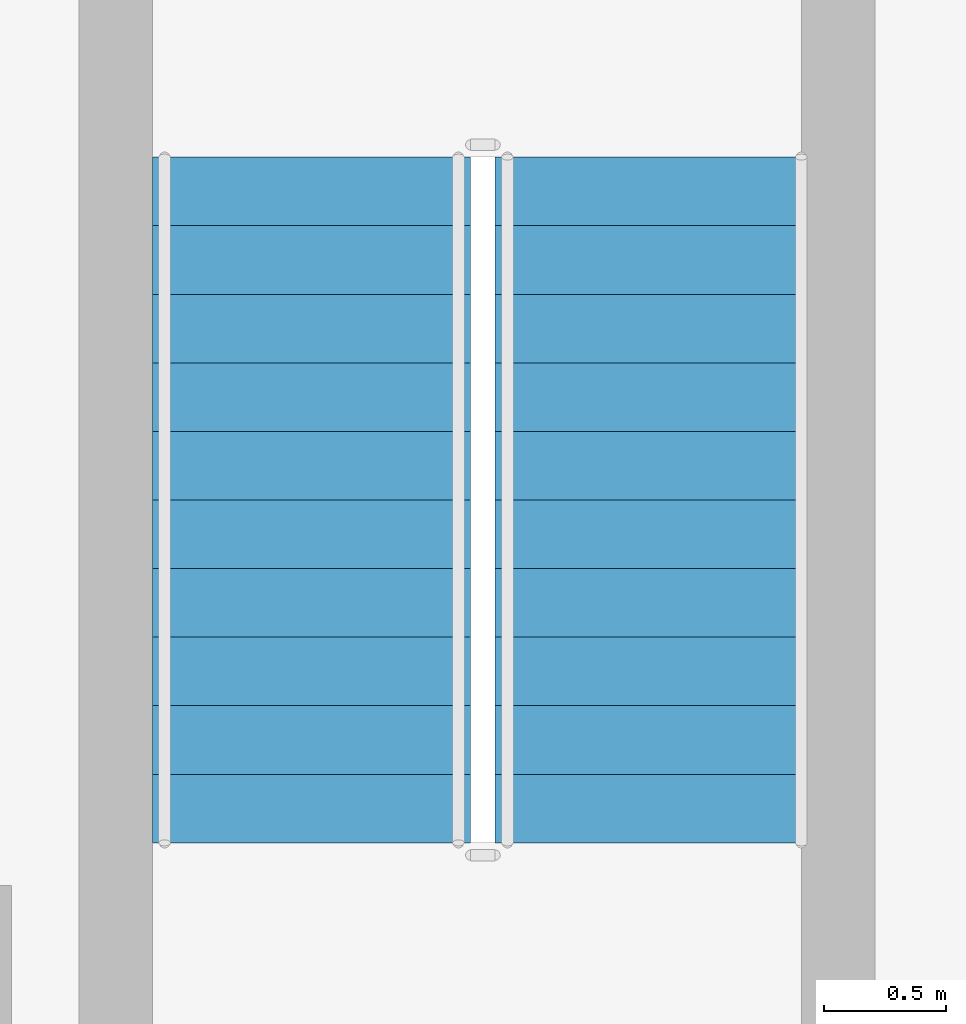
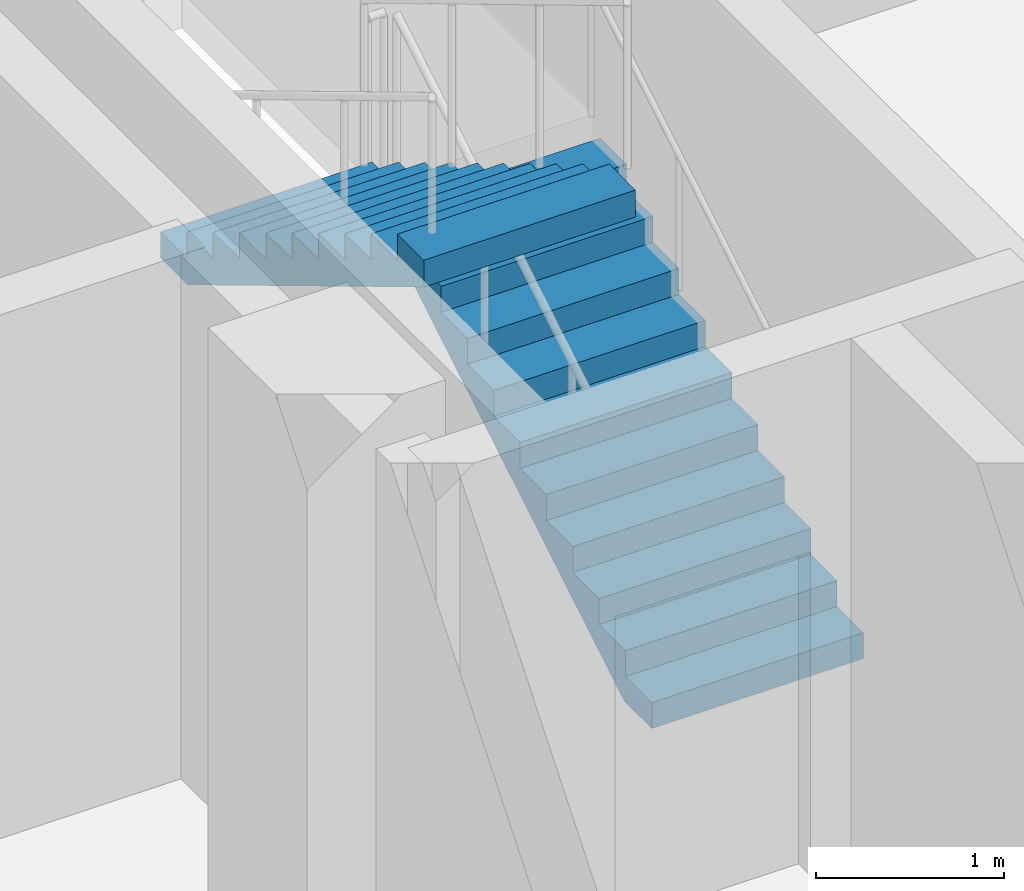
# One storey, part 16 of 22: 2 stair flights, 1 element without a shape of its own.
"""IFC4 building model written with IfcOpenShell, lengths in metres."""

from ifc_helpers import new_model, si_unit, direction, frame, origin, place, context, subcontext, project, spatial, triangles, source, transform, mapped, material, type_object, element, aggregate, save


model = new_model("IFC4")

# Units and contexts
model_context = context("Model", 3, precision=1e-05, world=origin(), true_north=direction((0.0, 1.0)))
body_context = subcontext(model_context, "Body", "Model", "MODEL_VIEW")
ifc_project = project(units=[si_unit("LENGTHUNIT", "METRE"), si_unit("AREAUNIT", "SQUARE_METRE"), si_unit("VOLUMEUNIT", "CUBIC_METRE"), si_unit("PLANEANGLEUNIT", "RADIAN"), si_unit("MASSUNIT", "GRAM", prefix="KILO")], contexts=[model_context])

# Site, building, storey
site_placement = place(None, origin())
site = spatial("IfcSite", under=ifc_project, at=site_placement, CompositionType="ELEMENT")
building_placement = place(site_placement, origin())
building = spatial("IfcBuilding", under=site, at=building_placement, Name="Ogive Portal Towers", CompositionType="ELEMENT")
storey_placement = place(building_placement, frame((0.0, 0.0, 113.0)))
storey = spatial("IfcBuildingStorey", under=building, at=storey_placement, Name="L27", CompositionType="ELEMENT", Elevation=113.0)

# Stair, stair flights
ifc_material = material(Name="Concrete C40/50", Category="concrete")
stair_type = type_object("IfcStairType", Name="INT-STAIR", PredefinedType="HALF_TURN_STAIR", material=ifc_material)
stair_placement = place(storey_placement, origin())
stair = element("IfcStair", 1, at=stair_placement, inside=storey, type_object=stair_type, Name="L27 Exit Stair ST-A3", PredefinedType="HALF_TURN_STAIR")
stair_flight_type = type_object("IfcStairFlightType", Name="INT-FLIGHT", PredefinedType="STRAIGHT", material=ifc_material)
shared_shape = source(origin(), body_context, "Body", "Tessellation", [
    triangles([(0.0, -0.650146484375, 0.0), (0.0, -0.376220703125, 0.0), (0.0, -0.192626953125, 0.0), (0.0, -0.081298828125, 0.0), (0.0, -0.024169921875, 0.0), (0.0, -0.003173828125, 0.0), (0.0, 0.0, 0.0), (0.0, 0.0029296875, 0.0), (0.0, 0.02392578125, 0.0), (0.0, 0.0810546875, 0.0), (0.0, 0.1923828125, 0.0), (0.0, 0.3759765625, 0.0), (0.0, 0.64990234375, 0.0), (0.0, -0.650146484375, 0.168212890625), (0.0, -0.376220703125, 0.168212890625), (0.0, -0.192626953125, 0.168212890625), (0.0, -0.081298828125, 0.168212890625), (0.0, -0.024169921875, 0.168212890625), (0.0, -0.003173828125, 0.168212890625), (0.0, 0.0, 0.168212890625), (0.0, 0.0029296875, 0.168212890625), (0.0, 0.02392578125, 0.168212890625), (0.0, 0.0810546875, 0.168212890625), (0.0, 0.1923828125, 0.168212890625), (0.0, 0.3759765625, 0.168212890625), (0.0, 0.64990234375, 0.168212890625), (0.280029296875, -0.650146484375, 0.168212890625), (0.280029296875, -0.376220703125, 0.168212890625), (0.280029296875, -0.192626953125, 0.168212890625), (0.280029296875, -0.081298828125, 0.168212890625), (0.280029296875, -0.024169921875, 0.168212890625), (0.280029296875, -0.003173828125, 0.168212890625), (0.280029296875, 0.0, 0.168212890625), (0.280029296875, 0.0029296875, 0.168212890625), (0.280029296875, 0.02392578125, 0.168212890625), (0.280029296875, 0.0810546875, 0.168212890625), (0.280029296875, 0.1923828125, 0.168212890625), (0.280029296875, 0.3759765625, 0.168212890625), (0.280029296875, 0.64990234375, 0.168212890625), (0.280029296875, -0.650146484375, 0.33642578125), (0.280029296875, -0.376220703125, 0.33642578125), (0.280029296875, -0.192626953125, 0.33642578125), (0.280029296875, -0.081298828125, 0.33642578125), (0.280029296875, -0.024169921875, 0.33642578125), (0.280029296875, -0.003173828125, 0.33642578125), (0.280029296875, 0.0, 0.33642578125), (0.280029296875, 0.0029296875, 0.33642578125), (0.280029296875, 0.02392578125, 0.33642578125), (0.280029296875, 0.0810546875, 0.33642578125), (0.280029296875, 0.1923828125, 0.33642578125), (0.280029296875, 0.3759765625, 0.33642578125), (0.280029296875, 0.64990234375, 0.33642578125), (0.56005859375, -0.650146484375, 0.33642578125), (0.56005859375, -0.376220703125, 0.33642578125), (0.56005859375, -0.192626953125, 0.33642578125), (0.56005859375, -0.081298828125, 0.33642578125), (0.56005859375, -0.024169921875, 0.33642578125), (0.56005859375, -0.003173828125, 0.33642578125), (0.56005859375, 0.0, 0.33642578125), (0.56005859375, 0.0029296875, 0.33642578125), (0.56005859375, 0.02392578125, 0.33642578125), (0.56005859375, 0.0810546875, 0.33642578125), (0.56005859375, 0.1923828125, 0.33642578125), (0.56005859375, 0.3759765625, 0.33642578125), (0.56005859375, 0.64990234375, 0.33642578125), (0.56005859375, -0.650146484375, 0.504638671875), (0.56005859375, -0.376220703125, 0.504638671875), (0.56005859375, -0.192626953125, 0.504638671875), (0.56005859375, -0.081298828125, 0.504638671875), (0.56005859375, -0.024169921875, 0.504638671875), (0.56005859375, -0.003173828125, 0.504638671875), (0.56005859375, 0.0, 0.504638671875), (0.56005859375, 0.0029296875, 0.504638671875), (0.56005859375, 0.02392578125, 0.504638671875), (0.56005859375, 0.0810546875, 0.504638671875), (0.56005859375, 0.1923828125, 0.504638671875), (0.56005859375, 0.3759765625, 0.504638671875), (0.56005859375, 0.64990234375, 0.504638671875), (0.840087890625, -0.650146484375, 0.504638671875), (0.840087890625, -0.376220703125, 0.504638671875), (0.840087890625, -0.192626953125, 0.504638671875), (0.840087890625, -0.081298828125, 0.504638671875), (0.840087890625, -0.024169921875, 0.504638671875), (0.840087890625, -0.003173828125, 0.504638671875), (0.840087890625, 0.0, 0.504638671875), (0.840087890625, 0.0029296875, 0.504638671875), (0.840087890625, 0.02392578125, 0.504638671875), (0.840087890625, 0.0810546875, 0.504638671875), (0.840087890625, 0.1923828125, 0.504638671875), (0.840087890625, 0.3759765625, 0.504638671875), (0.840087890625, 0.64990234375, 0.504638671875), (0.840087890625, -0.650146484375, 0.672607421875), (0.840087890625, -0.376220703125, 0.672607421875), (0.840087890625, -0.192626953125, 0.672607421875), (0.840087890625, -0.081298828125, 0.672607421875), (0.840087890625, -0.024169921875, 0.672607421875), (0.840087890625, -0.003173828125, 0.672607421875), (0.840087890625, 0.0, 0.672607421875), (0.840087890625, 0.0029296875, 0.672607421875), (0.840087890625, 0.02392578125, 0.672607421875), (0.840087890625, 0.0810546875, 0.672607421875), (0.840087890625, 0.1923828125, 0.672607421875), (0.840087890625, 0.3759765625, 0.672607421875), (0.840087890625, 0.64990234375, 0.672607421875), (1.1201171875, -0.650146484375, 0.672607421875), (1.1201171875, -0.376220703125, 0.672607421875), (1.1201171875, -0.192626953125, 0.672607421875), (1.1201171875, -0.081298828125, 0.672607421875), (1.1201171875, -0.024169921875, 0.672607421875), (1.1201171875, -0.003173828125, 0.672607421875), (1.1201171875, 0.0, 0.672607421875), (1.1201171875, 0.0029296875, 0.672607421875), (1.1201171875, 0.02392578125, 0.672607421875), (1.1201171875, 0.0810546875, 0.672607421875), (1.1201171875, 0.1923828125, 0.672607421875), (1.1201171875, 0.3759765625, 0.672607421875), (1.1201171875, 0.64990234375, 0.672607421875), (1.1201171875, -0.650146484375, 0.8408203125), (1.1201171875, -0.376220703125, 0.8408203125), (1.1201171875, -0.192626953125, 0.8408203125), (1.1201171875, -0.081298828125, 0.8408203125), (1.1201171875, -0.024169921875, 0.8408203125), (1.1201171875, -0.003173828125, 0.8408203125), (1.1201171875, 0.0, 0.8408203125), (1.1201171875, 0.0029296875, 0.8408203125), (1.1201171875, 0.02392578125, 0.8408203125), (1.1201171875, 0.0810546875, 0.8408203125), (1.1201171875, 0.1923828125, 0.8408203125), (1.1201171875, 0.3759765625, 0.8408203125), (1.1201171875, 0.64990234375, 0.8408203125), (1.39990234375, -0.650146484375, 0.8408203125), (1.39990234375, -0.376220703125, 0.8408203125), (1.39990234375, -0.192626953125, 0.8408203125), (1.39990234375, -0.081298828125, 0.8408203125), (1.39990234375, -0.024169921875, 0.8408203125), (1.39990234375, -0.003173828125, 0.8408203125), (1.39990234375, 0.0, 0.8408203125), (1.39990234375, 0.0029296875, 0.8408203125), (1.39990234375, 0.02392578125, 0.8408203125), (1.39990234375, 0.0810546875, 0.8408203125), (1.39990234375, 0.1923828125, 0.8408203125), (1.39990234375, 0.3759765625, 0.8408203125), (1.39990234375, 0.64990234375, 0.8408203125), (1.39990234375, -0.650146484375, 1.009033203125), (1.39990234375, -0.376220703125, 1.009033203125), (1.39990234375, -0.192626953125, 1.009033203125), (1.39990234375, -0.081298828125, 1.009033203125), (1.39990234375, -0.024169921875, 1.009033203125), (1.39990234375, -0.003173828125, 1.009033203125), (1.39990234375, 0.0, 1.009033203125), (1.39990234375, 0.0029296875, 1.009033203125), (1.39990234375, 0.02392578125, 1.009033203125), (1.39990234375, 0.0810546875, 1.009033203125), (1.39990234375, 0.1923828125, 1.009033203125), (1.39990234375, 0.3759765625, 1.009033203125), (1.39990234375, 0.64990234375, 1.009033203125), (1.679931640625, -0.650146484375, 1.009033203125), (1.679931640625, -0.376220703125, 1.009033203125), (1.679931640625, -0.192626953125, 1.009033203125), (1.679931640625, -0.081298828125, 1.009033203125), (1.679931640625, -0.024169921875, 1.009033203125), (1.679931640625, -0.003173828125, 1.009033203125), (1.679931640625, 0.0, 1.009033203125), (1.679931640625, 0.0029296875, 1.009033203125), (1.679931640625, 0.02392578125, 1.009033203125), (1.679931640625, 0.0810546875, 1.009033203125), (1.679931640625, 0.1923828125, 1.009033203125), (1.679931640625, 0.3759765625, 1.009033203125), (1.679931640625, 0.64990234375, 1.009033203125), (1.679931640625, -0.650146484375, 1.17724609375), (1.679931640625, -0.376220703125, 1.17724609375), (1.679931640625, -0.192626953125, 1.17724609375), (1.679931640625, -0.081298828125, 1.17724609375), (1.679931640625, -0.024169921875, 1.17724609375), (1.679931640625, -0.003173828125, 1.17724609375), (1.679931640625, 0.0, 1.17724609375), (1.679931640625, 0.0029296875, 1.17724609375), (1.679931640625, 0.02392578125, 1.17724609375), (1.679931640625, 0.0810546875, 1.17724609375), (1.679931640625, 0.1923828125, 1.17724609375), (1.679931640625, 0.3759765625, 1.17724609375), (1.679931640625, 0.64990234375, 1.17724609375), (1.9599609375, -0.650146484375, 1.17724609375), (1.9599609375, -0.376220703125, 1.17724609375), (1.9599609375, -0.192626953125, 1.17724609375), (1.9599609375, -0.081298828125, 1.17724609375), (1.9599609375, -0.024169921875, 1.17724609375), (1.9599609375, -0.003173828125, 1.17724609375), (1.9599609375, 0.0, 1.17724609375), (1.9599609375, 0.0029296875, 1.17724609375), (1.9599609375, 0.02392578125, 1.17724609375), (1.9599609375, 0.0810546875, 1.17724609375), (1.9599609375, 0.1923828125, 1.17724609375), (1.9599609375, 0.3759765625, 1.17724609375), (1.9599609375, 0.64990234375, 1.17724609375), (1.9599609375, -0.650146484375, 1.345458984375), (1.9599609375, -0.376220703125, 1.345458984375), (1.9599609375, -0.192626953125, 1.345458984375), (1.9599609375, -0.081298828125, 1.345458984375), (1.9599609375, -0.024169921875, 1.345458984375), (1.9599609375, -0.003173828125, 1.345458984375), (1.9599609375, 0.0, 1.345458984375), (1.9599609375, 0.0029296875, 1.345458984375), (1.9599609375, 0.02392578125, 1.345458984375), (1.9599609375, 0.0810546875, 1.345458984375), (1.9599609375, 0.1923828125, 1.345458984375), (1.9599609375, 0.3759765625, 1.345458984375), (1.9599609375, 0.64990234375, 1.345458984375), (2.239990234375, -0.650146484375, 1.345458984375), (2.239990234375, -0.376220703125, 1.345458984375), (2.239990234375, -0.192626953125, 1.345458984375), (2.239990234375, -0.081298828125, 1.345458984375), (2.239990234375, -0.024169921875, 1.345458984375), (2.239990234375, -0.003173828125, 1.345458984375), (2.239990234375, 0.0, 1.345458984375), (2.239990234375, 0.0029296875, 1.345458984375), (2.239990234375, 0.02392578125, 1.345458984375), (2.239990234375, 0.0810546875, 1.345458984375), (2.239990234375, 0.1923828125, 1.345458984375), (2.239990234375, 0.3759765625, 1.345458984375), (2.239990234375, 0.64990234375, 1.345458984375), (2.239990234375, -0.650146484375, 1.513671875), (2.239990234375, -0.376220703125, 1.513671875), (2.239990234375, -0.192626953125, 1.513671875), (2.239990234375, -0.081298828125, 1.513671875), (2.239990234375, -0.024169921875, 1.513671875), (2.239990234375, -0.003173828125, 1.513671875), (2.239990234375, 0.0, 1.513671875), (2.239990234375, 0.0029296875, 1.513671875), (2.239990234375, 0.02392578125, 1.513671875), (2.239990234375, 0.0810546875, 1.513671875), (2.239990234375, 0.1923828125, 1.513671875), (2.239990234375, 0.3759765625, 1.513671875), (2.239990234375, 0.64990234375, 1.513671875), (2.52001953125, -0.650146484375, 1.513671875), (2.52001953125, -0.376220703125, 1.513671875), (2.52001953125, -0.192626953125, 1.513671875), (2.52001953125, -0.081298828125, 1.513671875), (2.52001953125, -0.024169921875, 1.513671875), (2.52001953125, -0.003173828125, 1.513671875), (2.52001953125, 0.0, 1.513671875), (2.52001953125, 0.0029296875, 1.513671875), (2.52001953125, 0.02392578125, 1.513671875), (2.52001953125, 0.0810546875, 1.513671875), (2.52001953125, 0.1923828125, 1.513671875), (2.52001953125, 0.3759765625, 1.513671875), (2.52001953125, 0.64990234375, 1.513671875), (2.52001953125, -0.650146484375, 1.681884765625), (2.52001953125, -0.376220703125, 1.681884765625), (2.52001953125, -0.192626953125, 1.681884765625), (2.52001953125, -0.081298828125, 1.681884765625), (2.52001953125, -0.024169921875, 1.681884765625), (2.52001953125, -0.003173828125, 1.681884765625), (2.52001953125, 0.0, 1.681884765625), (2.52001953125, 0.0029296875, 1.681884765625), (2.52001953125, 0.02392578125, 1.681884765625), (2.52001953125, 0.0810546875, 1.681884765625), (2.52001953125, 0.1923828125, 1.681884765625), (2.52001953125, 0.3759765625, 1.681884765625), (2.52001953125, 0.64990234375, 1.681884765625), (2.800048828125, -0.650146484375, 1.681884765625), (2.800048828125, -0.376220703125, 1.681884765625), (2.800048828125, -0.192626953125, 1.681884765625), (2.800048828125, -0.081298828125, 1.681884765625), (2.800048828125, -0.024169921875, 1.681884765625), (2.800048828125, -0.003173828125, 1.681884765625), (2.800048828125, 0.0, 1.681884765625), (2.800048828125, 0.0029296875, 1.681884765625), (2.800048828125, 0.02392578125, 1.681884765625), (2.800048828125, 0.0810546875, 1.681884765625), (2.800048828125, 0.1923828125, 1.681884765625), (2.800048828125, 0.3759765625, 1.681884765625), (2.800048828125, 0.64990234375, 1.681884765625), (2.800048828125, -0.650146484375, 1.5068359375), (2.800048828125, -0.376220703125, 1.5068359375), (2.800048828125, -0.192626953125, 1.5068359375), (2.800048828125, -0.081298828125, 1.5068359375), (2.800048828125, -0.024169921875, 1.5068359375), (2.800048828125, -0.003173828125, 1.5068359375), (2.800048828125, 0.0, 1.5068359375), (2.800048828125, 0.0029296875, 1.5068359375), (2.800048828125, 0.02392578125, 1.5068359375), (2.800048828125, 0.0810546875, 1.5068359375), (2.800048828125, 0.1923828125, 1.5068359375), (2.800048828125, 0.3759765625, 1.5068359375), (2.800048828125, 0.64990234375, 1.5068359375), (0.291015625, -0.650146484375, 0.0), (0.291015625, -0.376220703125, 0.0), (0.291015625, -0.192626953125, 0.0), (0.291015625, -0.081298828125, 0.0), (0.291015625, -0.024169921875, 0.0), (0.291015625, -0.003173828125, 0.0), (0.291015625, 0.0, 0.0), (0.291015625, 0.0029296875, 0.0), (0.291015625, 0.02392578125, 0.0), (0.291015625, 0.0810546875, 0.0), (0.291015625, 0.1923828125, 0.0), (0.291015625, 0.3759765625, 0.0), (0.291015625, 0.64990234375, 0.0)], [[1, 14, 15], [1, 15, 2], [2, 15, 16], [2, 16, 3], [3, 16, 17], [3, 17, 4], [4, 17, 18], [4, 18, 5], [5, 18, 19], [5, 19, 6], [6, 19, 20], [6, 20, 7], [7, 20, 21], [7, 21, 8], [8, 21, 22], [8, 22, 9], [9, 22, 23], [9, 23, 10], [10, 23, 24], [10, 24, 11], [11, 24, 25], [11, 25, 12], [12, 25, 26], [12, 26, 13], [14, 27, 28], [14, 28, 15], [15, 28, 29], [15, 29, 16], [16, 29, 30], [16, 30, 17], [17, 30, 31], [17, 31, 18], [18, 31, 32], [18, 32, 19], [19, 32, 33], [19, 33, 20], [20, 33, 34], [20, 34, 21], [21, 34, 35], [21, 35, 22], [22, 35, 36], [22, 36, 23], [23, 36, 37], [23, 37, 24], [24, 37, 38], [24, 38, 25], [25, 38, 39], [25, 39, 26], [27, 40, 41], [27, 41, 28], [28, 41, 42], [28, 42, 29], [29, 42, 43], [29, 43, 30], [30, 43, 44], [30, 44, 31], [31, 44, 45], [31, 45, 32], [32, 45, 46], [32, 46, 33], [33, 46, 47], [33, 47, 34], [34, 47, 48], [34, 48, 35], [35, 48, 49], [35, 49, 36], [36, 49, 50], [36, 50, 37], [37, 50, 51], [37, 51, 38], [38, 51, 52], [38, 52, 39], [40, 53, 54], [40, 54, 41], [41, 54, 55], [41, 55, 42], [42, 55, 56], [42, 56, 43], [43, 56, 57], [43, 57, 44], [44, 57, 58], [44, 58, 45], [45, 58, 59], [45, 59, 46], [46, 59, 60], [46, 60, 47], [47, 60, 61], [47, 61, 48], [48, 61, 62], [48, 62, 49], [49, 62, 63], [49, 63, 50], [50, 63, 64], [50, 64, 51], [51, 64, 65], [51, 65, 52], [53, 66, 67], [53, 67, 54], [54, 67, 68], [54, 68, 55], [55, 68, 69], [55, 69, 56], [56, 69, 70], [56, 70, 57], [57, 70, 71], [57, 71, 58], [58, 71, 72], [58, 72, 59], [59, 72, 73], [59, 73, 60], [60, 73, 74], [60, 74, 61], [61, 74, 75], [61, 75, 62], [62, 75, 76], [62, 76, 63], [63, 76, 77], [63, 77, 64], [64, 77, 78], [64, 78, 65], [66, 79, 80], [66, 80, 67], [67, 80, 81], [67, 81, 68], [68, 81, 82], [68, 82, 69], [69, 82, 83], [69, 83, 70], [70, 83, 84], [70, 84, 71], [71, 84, 85], [71, 85, 72], [72, 85, 86], [72, 86, 73], [73, 86, 87], [73, 87, 74], [74, 87, 88], [74, 88, 75], [75, 88, 89], [75, 89, 76], [76, 89, 90], [76, 90, 77], [77, 90, 91], [77, 91, 78], [79, 92, 93], [79, 93, 80], [80, 93, 94], [80, 94, 81], [81, 94, 95], [81, 95, 82], [82, 95, 96], [82, 96, 83], [83, 96, 97], [83, 97, 84], [84, 97, 98], [84, 98, 85], [85, 98, 99], [85, 99, 86], [86, 99, 100], [86, 100, 87], [87, 100, 101], [87, 101, 88], [88, 101, 102], [88, 102, 89], [89, 102, 103], [89, 103, 90], [90, 103, 104], [90, 104, 91], [92, 105, 106], [92, 106, 93], [93, 106, 107], [93, 107, 94], [94, 107, 108], [94, 108, 95], [95, 108, 109], [95, 109, 96], [96, 109, 110], [96, 110, 97], [97, 110, 111], [97, 111, 98], [98, 111, 112], [98, 112, 99], [99, 112, 113], [99, 113, 100], [100, 113, 114], [100, 114, 101], [101, 114, 115], [101, 115, 102], [102, 115, 116], [102, 116, 103], [103, 116, 117], [103, 117, 104], [105, 118, 119], [105, 119, 106], [106, 119, 120], [106, 120, 107], [107, 120, 121], [107, 121, 108], [108, 121, 122], [108, 122, 109], [109, 122, 123], [109, 123, 110], [110, 123, 124], [110, 124, 111], [111, 124, 125], [111, 125, 112], [112, 125, 126], [112, 126, 113], [113, 126, 127], [113, 127, 114], [114, 127, 128], [114, 128, 115], [115, 128, 129], [115, 129, 116], [116, 129, 130], [116, 130, 117], [118, 131, 132], [118, 132, 119], [119, 132, 133], [119, 133, 120], [120, 133, 134], [120, 134, 121], [121, 134, 135], [121, 135, 122], [122, 135, 136], [122, 136, 123], [123, 136, 137], [123, 137, 124], [124, 137, 138], [124, 138, 125], [125, 138, 139], [125, 139, 126], [126, 139, 140], [126, 140, 127], [127, 140, 141], [127, 141, 128], [128, 141, 142], [128, 142, 129], [129, 142, 143], [129, 143, 130], [131, 144, 145], [131, 145, 132], [132, 145, 146], [132, 146, 133], [133, 146, 147], [133, 147, 134], [134, 147, 148], [134, 148, 135], [135, 148, 149], [135, 149, 136], [136, 149, 150], [136, 150, 137], [137, 150, 151], [137, 151, 138], [138, 151, 152], [138, 152, 139], [139, 152, 153], [139, 153, 140], [140, 153, 154], [140, 154, 141], [141, 154, 155], [141, 155, 142], [142, 155, 156], [142, 156, 143], [144, 157, 158], [144, 158, 145], [145, 158, 159], [145, 159, 146], [146, 159, 160], [146, 160, 147], [147, 160, 161], [147, 161, 148], [148, 161, 162], [148, 162, 149], [149, 162, 163], [149, 163, 150], [150, 163, 164], [150, 164, 151], [151, 164, 165], [151, 165, 152], [152, 165, 166], [152, 166, 153], [153, 166, 167], [153, 167, 154], [154, 167, 168], [154, 168, 155], [155, 168, 169], [155, 169, 156], [157, 170, 171], [157, 171, 158], [158, 171, 172], [158, 172, 159], [159, 172, 173], [159, 173, 160], [160, 173, 174], [160, 174, 161], [161, 174, 175], [161, 175, 162], [162, 175, 176], [162, 176, 163], [163, 176, 177], [163, 177, 164], [164, 177, 178], [164, 178, 165], [165, 178, 179], [165, 179, 166], [166, 179, 180], [166, 180, 167], [167, 180, 181], [167, 181, 168], [168, 181, 182], [168, 182, 169], [170, 183, 184], [170, 184, 171], [171, 184, 185], [171, 185, 172], [172, 185, 186], [172, 186, 173], [173, 186, 187], [173, 187, 174], [174, 187, 188], [174, 188, 175], [175, 188, 189], [175, 189, 176], [176, 189, 190], [176, 190, 177], [177, 190, 191], [177, 191, 178], [178, 191, 192], [178, 192, 179], [179, 192, 193], [179, 193, 180], [180, 193, 194], [180, 194, 181], [181, 194, 195], [181, 195, 182], [183, 196, 197], [183, 197, 184], [184, 197, 198], [184, 198, 185], [185, 198, 199], [185, 199, 186], [186, 199, 200], [186, 200, 187], [187, 200, 201], [187, 201, 188], [188, 201, 202], [188, 202, 189], [189, 202, 203], [189, 203, 190], [190, 203, 204], [190, 204, 191], [191, 204, 205], [191, 205, 192], [192, 205, 206], [192, 206, 193], [193, 206, 207], [193, 207, 194], [194, 207, 208], [194, 208, 195], [196, 209, 210], [196, 210, 197], [197, 210, 211], [197, 211, 198], [198, 211, 212], [198, 212, 199], [199, 212, 213], [199, 213, 200], [200, 213, 214], [200, 214, 201], [201, 214, 215], [201, 215, 202], [202, 215, 216], [202, 216, 203], [203, 216, 217], [203, 217, 204], [204, 217, 218], [204, 218, 205], [205, 218, 219], [205, 219, 206], [206, 219, 220], [206, 220, 207], [207, 220, 221], [207, 221, 208], [209, 222, 223], [209, 223, 210], [210, 223, 224], [210, 224, 211], [211, 224, 225], [211, 225, 212], [212, 225, 226], [212, 226, 213], [213, 226, 227], [213, 227, 214], [214, 227, 228], [214, 228, 215], [215, 228, 229], [215, 229, 216], [216, 229, 230], [216, 230, 217], [217, 230, 231], [217, 231, 218], [218, 231, 232], [218, 232, 219], [219, 232, 233], [219, 233, 220], [220, 233, 234], [220, 234, 221], [222, 235, 236], [222, 236, 223], [223, 236, 237], [223, 237, 224], [224, 237, 238], [224, 238, 225], [225, 238, 239], [225, 239, 226], [226, 239, 240], [226, 240, 227], [227, 240, 241], [227, 241, 228], [228, 241, 242], [228, 242, 229], [229, 242, 243], [229, 243, 230], [230, 243, 244], [230, 244, 231], [231, 244, 245], [231, 245, 232], [232, 245, 246], [232, 246, 233], [233, 246, 247], [233, 247, 234], [235, 248, 249], [235, 249, 236], [236, 249, 250], [236, 250, 237], [237, 250, 251], [237, 251, 238], [238, 251, 252], [238, 252, 239], [239, 252, 253], [239, 253, 240], [240, 253, 254], [240, 254, 241], [241, 254, 255], [241, 255, 242], [242, 255, 256], [242, 256, 243], [243, 256, 257], [243, 257, 244], [244, 257, 258], [244, 258, 245], [245, 258, 259], [245, 259, 246], [246, 259, 260], [246, 260, 247], [248, 261, 262], [248, 262, 249], [249, 262, 263], [249, 263, 250], [250, 263, 264], [250, 264, 251], [251, 264, 265], [251, 265, 252], [252, 265, 266], [252, 266, 253], [253, 266, 267], [253, 267, 254], [254, 267, 268], [254, 268, 255], [255, 268, 269], [255, 269, 256], [256, 269, 270], [256, 270, 257], [257, 270, 271], [257, 271, 258], [258, 271, 272], [258, 272, 259], [259, 272, 273], [259, 273, 260], [261, 274, 275], [261, 275, 262], [262, 275, 276], [262, 276, 263], [263, 276, 277], [263, 277, 264], [264, 277, 278], [264, 278, 265], [265, 278, 279], [265, 279, 266], [266, 279, 280], [266, 280, 267], [267, 280, 281], [267, 281, 268], [268, 281, 282], [268, 282, 269], [269, 282, 283], [269, 283, 270], [270, 283, 284], [270, 284, 271], [271, 284, 285], [271, 285, 272], [272, 285, 286], [272, 286, 273], [274, 287, 288], [274, 288, 275], [275, 288, 289], [275, 289, 276], [276, 289, 290], [276, 290, 277], [277, 290, 291], [277, 291, 278], [278, 291, 292], [278, 292, 279], [279, 292, 293], [279, 293, 280], [280, 293, 294], [280, 294, 281], [281, 294, 295], [281, 295, 282], [282, 295, 296], [282, 296, 283], [283, 296, 297], [283, 297, 284], [284, 297, 298], [284, 298, 285], [285, 298, 299], [285, 299, 286], [287, 1, 2], [287, 2, 288], [288, 2, 3], [288, 3, 289], [289, 3, 4], [289, 4, 290], [290, 4, 5], [290, 5, 291], [291, 5, 6], [291, 6, 292], [292, 6, 7], [292, 7, 293], [293, 7, 8], [293, 8, 294], [294, 8, 9], [294, 9, 295], [295, 9, 10], [295, 10, 296], [296, 10, 11], [296, 11, 297], [297, 11, 12], [297, 12, 298], [298, 12, 13], [298, 13, 299], [1, 287, 274], [13, 286, 299], [274, 261, 248], [286, 260, 273], [274, 248, 235], [286, 247, 260], [274, 235, 222], [286, 234, 247], [274, 222, 209], [286, 221, 234], [209, 196, 183], [221, 195, 208], [274, 209, 183], [286, 195, 221], [183, 170, 157], [195, 169, 182], [274, 183, 157], [286, 169, 195], [157, 144, 131], [169, 143, 156], [274, 157, 131], [286, 143, 169], [131, 118, 105], [143, 117, 130], [274, 131, 105], [286, 117, 143], [1, 274, 105], [13, 117, 286], [105, 92, 79], [117, 91, 104], [79, 66, 53], [91, 65, 78], [105, 79, 53], [117, 65, 91], [53, 40, 27], [65, 39, 52], [105, 53, 27], [117, 39, 65], [1, 105, 27], [13, 39, 117], [27, 14, 1], [39, 13, 26]], closed=True),
])
stair_flight_1_placement = place(storey_placement, frame((43.550048828125, 67.199951171875, 0.0), z_axis=(0.0, 0.0, 1.0), x_axis=(0.0, 1.0, 0.0)))
stair_flight_1 = element("IfcStairFlight", 2, at=stair_flight_1_placement, type_object=stair_flight_type, Name="ST-A3 flight 1", NumberOfRisers=11, NumberOfTreads=10, PredefinedType="STRAIGHT", RiserHeight=0.168181818, TreadLength=0.28, context=body_context, shape_type="MappedRepresentation", body=[
    mapped(shared_shape, transform((0.0, 0.0, 0.0), scale=1.0)),
])
stair_flight_2_placement = place(storey_placement, frame((42.14990234375, 70.0, 1.85009765625), z_axis=(0.0, 0.0, 1.0), x_axis=(0.0, -1.0, 0.0)))
stair_flight_2 = element("IfcStairFlight", 3, at=stair_flight_2_placement, type_object=stair_flight_type, Name="ST-A3 flight 2", NumberOfRisers=11, NumberOfTreads=10, PredefinedType="STRAIGHT", RiserHeight=0.168181818, TreadLength=0.28, context=body_context, shape_type="MappedRepresentation", body=[
    mapped(shared_shape, transform((0.0, 0.0, 0.0), scale=1.0)),
])
aggregate(stair, [stair_flight_1, stair_flight_2])

save(model, "model.ifc")
